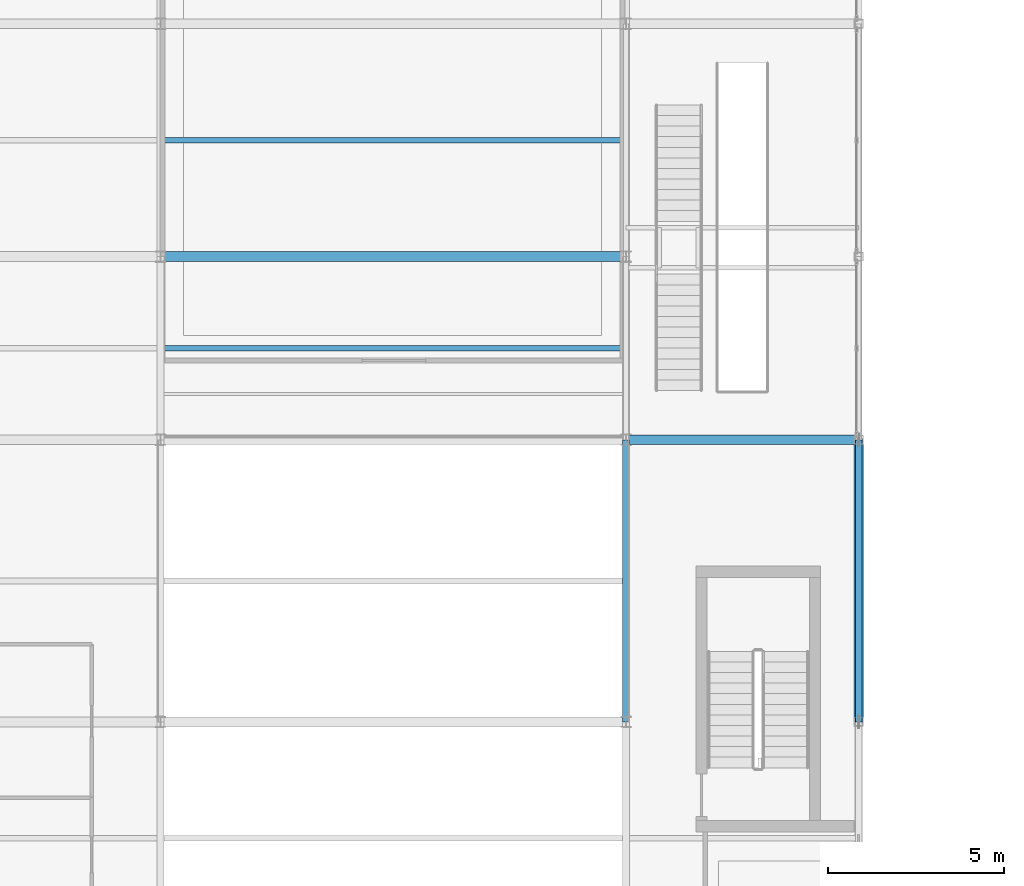
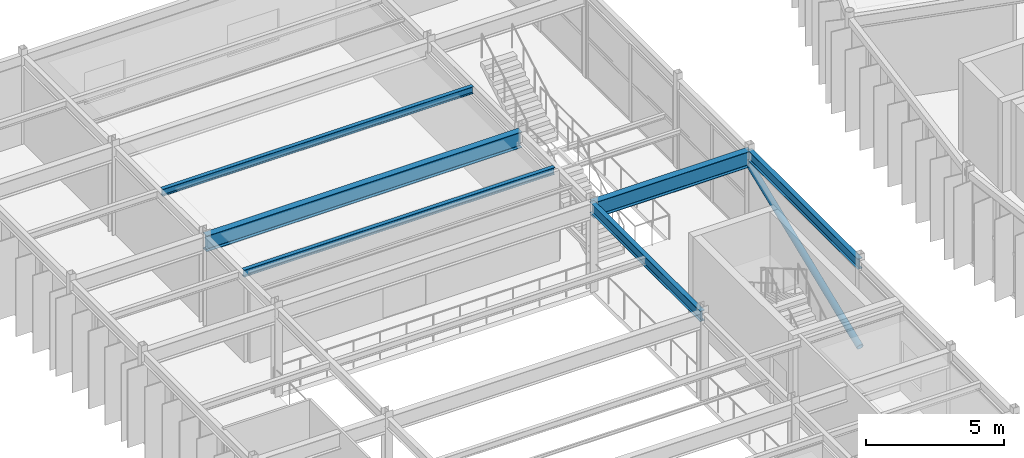
# One storey, part 39 of 148: 6 beams, 1 member.
"""IFC4 building model written with IfcOpenShell, lengths in metres."""

from ifc_helpers import new_model, si_unit, direction, frame, origin, origin_2d, place, context, subcontext, project, spatial, hollow_circle, i_section, extrude, material, material_profile, profile_set, type_object, element, save


model = new_model("IFC4")

# Units and contexts
model_context = context("Model", 3, precision=1e-05, world=origin(), true_north=direction((0.0, 1.0)))
body_context = subcontext(model_context, "Body", "Model", "MODEL_VIEW")
ifc_project = project(units=[si_unit("LENGTHUNIT", "METRE"), si_unit("AREAUNIT", "SQUARE_METRE"), si_unit("VOLUMEUNIT", "CUBIC_METRE"), si_unit("PLANEANGLEUNIT", "RADIAN"), si_unit("MASSUNIT", "GRAM", prefix="KILO")], contexts=[model_context])

# Site, building, storey
site_placement = place(None, origin())
site = spatial("IfcSite", under=ifc_project, at=site_placement, CompositionType="ELEMENT")
building_placement = place(site_placement, origin())
building = spatial("IfcBuilding", under=site, at=building_placement, Name="Karori Crest Natural Sciences Institute", CompositionType="ELEMENT")
storey_placement = place(building_placement, frame((0.0, 0.0, 4.89990234375)))
storey = spatial("IfcBuildingStorey", under=building, at=storey_placement, Name="L01", CompositionType="ELEMENT", Elevation=4.89990234375)

# Beams
ifc_material_1 = material(Name="Structural steel AS/NZS 3679.1 Grade 350", Category="steel")
ifc_material_profile_1 = material_profile(ifc_material_1, i_section(OverallWidth=0.27490234375, OverallDepth=0.699951171875, WebThickness=0.010009765625, FlangeThickness=0.02001953125, FilletRadius=0.013916015625, at=origin_2d()), Name="700WB150")
ifc_profile_set_1 = profile_set([ifc_material_profile_1], Name="Structural steel AS/NZS 3679.1 Grade 350")
beam_type_1 = type_object("IfcBeamType", Name="BT-03", PredefinedType="BEAM", material=ifc_profile_set_1)
beam_1_placement = place(storey_placement, frame((20.60009765625, 55.0, 3.570068359375), z_axis=(1.0, 0.0, 0.0), x_axis=(0.0, 1.0, 0.0)))
element("IfcBeam", 1, at=beam_1_placement, inside=storey, type_object=beam_type_1, Name="Beam B-1019", PredefinedType="BEAM", context=body_context, shape_type="SweptSolid", body=[
    extrude(i_section(OverallWidth=0.27490234375, OverallDepth=0.699951171875, WebThickness=0.010009765625, FlangeThickness=0.02001953125, FilletRadius=0.013916015625, at=origin_2d()), origin(), (0.0, 0.0, 1.0), 6.599853515625),
])
beam_2_placement = place(storey_placement, frame((7.39990234375, 60.199951171875, 3.570068359375), z_axis=(1.0, 0.0, 0.0), x_axis=(0.0, 1.0, 0.0)))
element("IfcBeam", 2, at=beam_2_placement, inside=storey, type_object=beam_type_1, Name="Beam B-1021", PredefinedType="BEAM", context=body_context, shape_type="SweptSolid", body=[
    extrude(i_section(OverallWidth=0.27490234375, OverallDepth=0.699951171875, WebThickness=0.010009765625, FlangeThickness=0.02001953125, FilletRadius=0.013916015625, at=origin_2d()), origin(), (0.0, 0.0, 1.0), 13.2001953125),
])
ifc_material_profile_2 = material_profile(ifc_material_1, i_section(OverallWidth=0.19091796875, OverallDepth=0.4599609375, WebThickness=0.010009765625, FlangeThickness=0.01611328125, FilletRadius=0.010986328125, at=origin_2d()), Name="460UB82.1")
ifc_profile_set_2 = profile_set([ifc_material_profile_2], Name="Structural steel AS/NZS 3679.1 Grade 350")
beam_type_2 = type_object("IfcBeamType", Name="BT-06", PredefinedType="BEAM", material=ifc_profile_set_2)
beam_3_placement = place(storey_placement, frame((20.60009765625, 47.0, 3.690185546875), z_axis=(0.0, 1.0, 0.0), x_axis=(-1.0, 0.0, 0.0)))
element("IfcBeam", 3, at=beam_3_placement, inside=storey, type_object=beam_type_2, Name="Beam B-1045", PredefinedType="BEAM", context=body_context, shape_type="SweptSolid", body=[
    extrude(i_section(OverallWidth=0.19091796875, OverallDepth=0.4599609375, WebThickness=0.010009765625, FlangeThickness=0.01611328125, FilletRadius=0.010986328125, at=origin_2d()), origin(), (0.0, 0.0, 1.0), 8.0),
])
ifc_material_profile_3 = material_profile(ifc_material_1, i_section(OverallWidth=0.19091796875, OverallDepth=0.4599609375, WebThickness=0.010009765625, FlangeThickness=0.01611328125, FilletRadius=0.010986328125, at=origin_2d()), Name="460UB82.1")
ifc_profile_set_3 = profile_set([ifc_material_profile_3], Name="Structural steel AS/NZS 3679.1 Grade 350")
beam_type_3 = type_object("IfcBeamType", Name="BT-06-EL", PredefinedType="BEAM", material=ifc_profile_set_3)
beam_4_placement = place(storey_placement, frame((27.199951171875, 47.0, 3.690185546875), z_axis=(0.0, 1.0, 0.0), x_axis=(-1.0, 0.0, 0.0)))
element("IfcBeam", 4, at=beam_4_placement, inside=storey, type_object=beam_type_3, Name="Beam B-1052", PredefinedType="BEAM", context=body_context, shape_type="SweptSolid", body=[
    extrude(i_section(OverallWidth=0.19091796875, OverallDepth=0.4599609375, WebThickness=0.010009765625, FlangeThickness=0.01611328125, FilletRadius=0.010986328125, at=origin_2d()), origin(), (0.0, 0.0, 1.0), 8.0),
])
ifc_material_profile_4 = material_profile(ifc_material_1, i_section(OverallWidth=0.166015625, OverallDepth=0.306884765625, WebThickness=0.006591796875, FlangeThickness=0.01171875, FilletRadius=0.010986328125, at=origin_2d()), Name="310UB46.2")
ifc_profile_set_4 = profile_set([ifc_material_profile_4], Name="Structural steel AS/NZS 3679.1 Grade 350")
beam_type_4 = type_object("IfcBeamType", Name="BT-09", PredefinedType="BEAM", material=ifc_profile_set_4)
for number, where, z_axis, x_axis, name in (
    (5, (7.49560546875, 57.60009765625, 3.7666015625), (1.0, 0.0, 0.0), (0.0, 1.0, 0.0), "Beam B-1067"),
    (6, (7.49560546875, 63.5, 3.7666015625), (1.0, 0.0, 0.0), (0.0, 1.0, 0.0), "Beam B-1069"),
):
    element("IfcBeam", number, at=place(storey_placement, frame(where, z_axis=z_axis, x_axis=x_axis)), inside=storey, type_object=beam_type_4, Name=name, PredefinedType="BEAM", context=body_context, shape_type="SweptSolid", body=[
        extrude(i_section(OverallWidth=0.166015625, OverallDepth=0.306884765625, WebThickness=0.006591796875, FlangeThickness=0.01171875, FilletRadius=0.010986328125, at=origin_2d()), origin(), (0.0, 0.0, 1.0), 13.0087890625),
    ])

# Member
ifc_material_2 = material(Name="Hollow structural steel AS/NZS 1163 Grade C350", Category="steel")
ifc_material_profile_5 = material_profile(ifc_material_2, hollow_circle(Radius=0.136474609375, WallThickness=0.00927734375, at=origin_2d()), Name="CHS273.0x9.3")
ifc_profile_set_5 = profile_set([ifc_material_profile_5], Name="Hollow structural steel AS/NZS 1163 Grade C350")
member_type = type_object("IfcMemberType", Name="MT-01-EL", PredefinedType="BRACE", material=ifc_profile_set_5)
member_placement = place(storey_placement, frame((27.199951171875, 47.0, 0.010009765625), z_axis=(0.0, 0.927675995403, 0.373386190899), x_axis=(-1.0, 0.0, 0.0)))
element("IfcMember", 7, at=member_placement, inside=storey, type_object=member_type, Name="Diagonal Brace M-0254", PredefinedType="BRACE", context=body_context, shape_type="SweptSolid", body=[
    extrude(hollow_circle(Radius=0.136474609375, WallThickness=0.00927734375, at=origin_2d()), origin(), (0.0, 0.0, 1.0), 8.623779296875),
])

save(model, "model.ifc")
